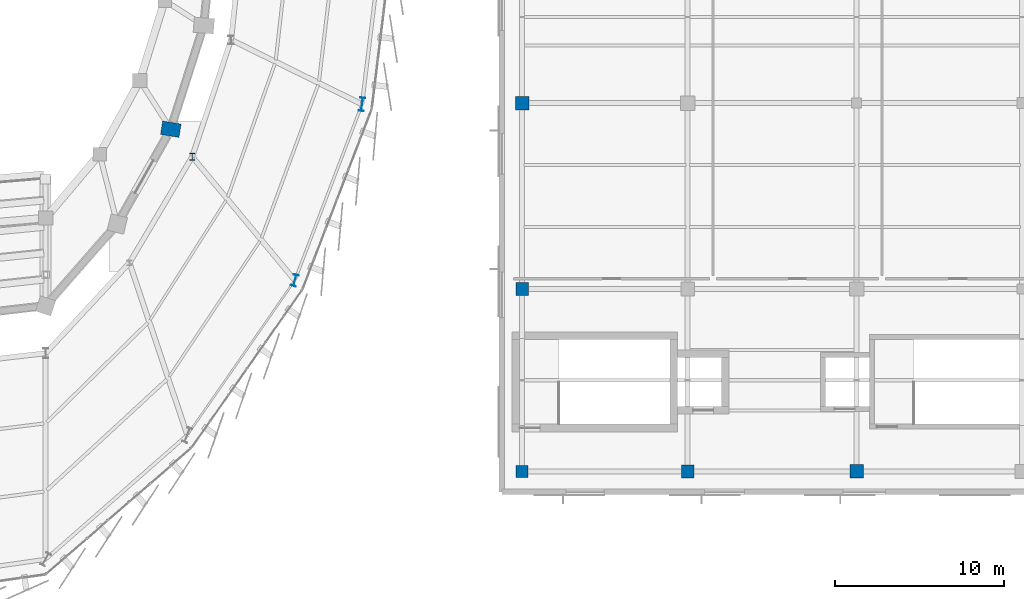
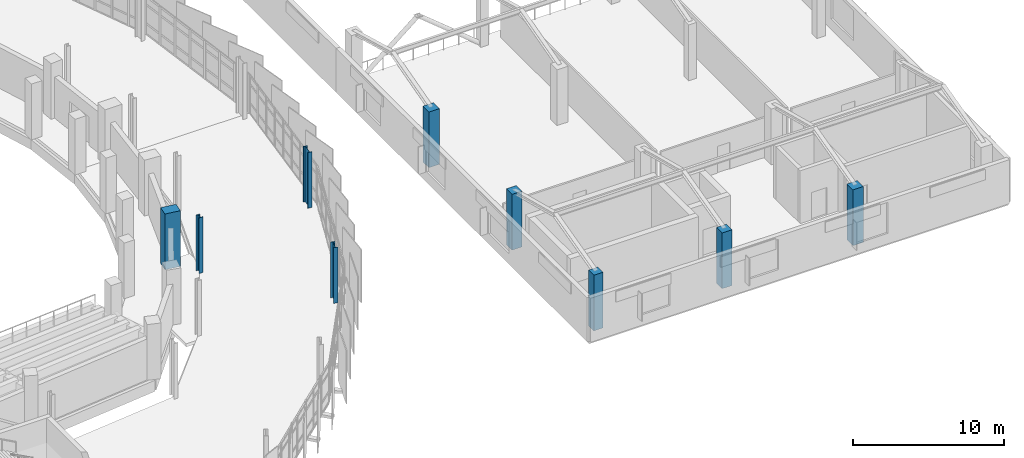
# One storey, part 19 of 120: 9 columns.
"""IFC4 building model written with IfcOpenShell, lengths in metres."""

from ifc_helpers import new_model, si_unit, direction, frame, origin, origin_2d, place, context, subcontext, project, spatial, rectangle, i_section, extrude, material, material_profile, profile_set, type_object, element, save


model = new_model("IFC4")

# Units and contexts
model_context = context("Model", 3, precision=1e-05, world=origin(), true_north=direction((0.0, 1.0)))
body_context = subcontext(model_context, "Body", "Model", "MODEL_VIEW")
ifc_project = project(units=[si_unit("LENGTHUNIT", "METRE"), si_unit("AREAUNIT", "SQUARE_METRE"), si_unit("VOLUMEUNIT", "CUBIC_METRE"), si_unit("PLANEANGLEUNIT", "RADIAN"), si_unit("MASSUNIT", "GRAM", prefix="KILO")], contexts=[model_context])

# Site, building, storey
site_placement = place(None, origin())
site = spatial("IfcSite", under=ifc_project, at=site_placement, CompositionType="ELEMENT")
building_placement = place(site_placement, origin())
building = spatial("IfcBuilding", under=site, at=building_placement, Name="Sohan Crest Arena", CompositionType="ELEMENT")
storey_placement = place(building_placement, frame((0.0, 0.0, 13.5)))
storey = spatial("IfcBuildingStorey", under=building, at=storey_placement, Name="L03", CompositionType="ELEMENT", Elevation=13.5)

# Columns
ifc_material_1 = material(Name="Concrete C40/50", Category="concrete")
ifc_material_profile_1 = material_profile(ifc_material_1, rectangle(XDim=0.699951171875, YDim=0.699951171875, at=origin_2d()), Name="RC 700x700")
ifc_profile_set_1 = profile_set([ifc_material_profile_1], Name="Concrete C40/50")
column_type_1 = type_object("IfcColumnType", Name="STR-COL-C03", PredefinedType="COLUMN", material=ifc_profile_set_1)
column_1_placement = place(storey_placement, frame((196.199951171875, 45.199951171875, 0.0), z_axis=(0.0, 0.0, 1.0), x_axis=(1.0, 0.0, 0.0)))
element("IfcColumn", 1, at=column_1_placement, inside=storey, type_object=column_type_1, Name="Structural column COL-V4S-11-L03", PredefinedType="COLUMN", context=body_context, shape_type="SweptSolid", body=[
    extrude(rectangle(XDim=0.699951171875, YDim=0.699951171875, at=origin_2d()), origin(), (0.0, 0.0, 1.0), 4.5),
])
ifc_material_profile_2 = material_profile(ifc_material_1, rectangle(XDim=0.75, YDim=0.75, at=origin_2d()), Name="RC 750x750")
ifc_profile_set_2 = profile_set([ifc_material_profile_2], Name="Concrete C40/50")
column_type_2 = type_object("IfcColumnType", Name="STR-COL-C04", PredefinedType="COLUMN", material=ifc_profile_set_2)
for number, where, z_axis, x_axis, name in (
    (2, (196.199951171875, 56.0, 0.0), (0.0, 0.0, 1.0), (1.0, 0.0, 0.0), "Structural column COL-V4S-12-L03"),
    (3, (206.0, 45.199951171875, 0.0), (0.0, 0.0, 1.0), (1.0, 0.0, 0.0), "Structural column COL-V4S-21-L03"),
):
    element("IfcColumn", number, at=place(storey_placement, frame(where, z_axis=z_axis, x_axis=x_axis)), inside=storey, type_object=column_type_2, Name=name, PredefinedType="COLUMN", context=body_context, shape_type="SweptSolid", body=[
        extrude(rectangle(XDim=0.75, YDim=0.75, at=origin_2d()), origin(), (0.0, 0.0, 1.0), 4.5),
    ])
ifc_material_profile_3 = material_profile(ifc_material_1, rectangle(XDim=0.800048828125, YDim=0.800048828125, at=origin_2d()), Name="RC 800x800")
ifc_profile_set_3 = profile_set([ifc_material_profile_3], Name="Concrete C40/50")
column_type_3 = type_object("IfcColumnType", Name="STR-COL-C05", PredefinedType="COLUMN", material=ifc_profile_set_3)
for number, where, z_axis, x_axis, name in (
    (4, (196.199951171875, 67.0, 0.0), (0.0, 0.0, 1.0), (1.0, 0.0, 0.0), "Structural column COL-V4S-13-L03"),
    (5, (216.0, 45.199951171875, 0.0), (0.0, 0.0, 1.0), (1.0, 0.0, 0.0), "Structural column COL-V4S-31-L03"),
):
    element("IfcColumn", number, at=place(storey_placement, frame(where, z_axis=z_axis, x_axis=x_axis)), inside=storey, type_object=column_type_3, Name=name, PredefinedType="COLUMN", context=body_context, shape_type="SweptSolid", body=[
        extrude(rectangle(XDim=0.800048828125, YDim=0.800048828125, at=origin_2d()), origin(), (0.0, 0.0, 1.0), 4.5),
    ])
ifc_material_profile_4 = material_profile(ifc_material_1, rectangle(XDim=1.10009765625, YDim=0.800048828125, at=origin_2d()), Name="RC 1100x800")
ifc_profile_set_4 = profile_set([ifc_material_profile_4], Name="Concrete C40/50")
column_type_4 = type_object("IfcColumnType", Name="STR-COL-C10", PredefinedType="COLUMN", material=ifc_profile_set_4)
column_2_placement = place(storey_placement, frame((175.408935546875, 65.455078125, 0.0), z_axis=(0.0, 0.0, 1.0), x_axis=(-0.987136265073, 0.159881187692, 0.0)))
element("IfcColumn", 6, at=column_2_placement, inside=storey, type_object=column_type_4, Name="Structural column COL-V1R-22-L03", PredefinedType="COLUMN", context=body_context, shape_type="SweptSolid", body=[
    extrude(rectangle(XDim=1.10009765625, YDim=0.800048828125, at=origin_2d()), origin(), (0.0, 0.0, 1.0), 4.5),
])
ifc_material_2 = material(Name="Steel S355", Category="steel")
ifc_material_profile_5 = material_profile(ifc_material_2, i_section(OverallWidth=0.300048828125, OverallDepth=0.39990234375, WebThickness=0.013427734375, FlangeThickness=0.02392578125, at=origin_2d()), Name="HEB 400")
ifc_profile_set_5 = profile_set([ifc_material_profile_5], Name="Steel S355")
column_type_5 = type_object("IfcColumnType", Name="STR-COL-C18", PredefinedType="COLUMN", material=ifc_profile_set_5)
column_3_placement = place(storey_placement, frame((176.674072265625, 63.824951171875, 0.0), z_axis=(0.0, 0.0, 1.0), x_axis=(1.0, 0.0, 0.0)))
element("IfcColumn", 7, at=column_3_placement, inside=storey, type_object=column_type_5, Name="Structural column COL-V2I-22-L03", PredefinedType="COLUMN", context=body_context, shape_type="SweptSolid", body=[
    extrude(i_section(OverallWidth=0.300048828125, OverallDepth=0.39990234375, WebThickness=0.013427734375, FlangeThickness=0.02392578125, at=origin_2d()), origin(), (0.0, 0.0, 1.0), 4.5),
])
ifc_material_profile_6 = material_profile(ifc_material_2, i_section(OverallWidth=0.300048828125, OverallDepth=0.699951171875, WebThickness=0.01708984375, FlangeThickness=0.031982421875, at=origin_2d()), Name="HEB 700")
ifc_profile_set_6 = profile_set([ifc_material_profile_6], Name="Steel S355")
column_type_6 = type_object("IfcColumnType", Name="STR-COL-C21", PredefinedType="COLUMN", material=ifc_profile_set_6)
column_4_placement = place(storey_placement, frame((182.7490234375, 56.510986328125, 0.0), z_axis=(0.0, 0.0, 1.0), x_axis=(-0.969445349895, 0.245307385879, 0.0)))
element("IfcColumn", 8, at=column_4_placement, inside=storey, type_object=column_type_6, Name="Structural column COL-V2O-22-L03", PredefinedType="COLUMN", context=body_context, shape_type="SweptSolid", body=[
    extrude(i_section(OverallWidth=0.300048828125, OverallDepth=0.699951171875, WebThickness=0.01708984375, FlangeThickness=0.031982421875, at=origin_2d()), origin(), (0.0, 0.0, 1.0), 4.5),
])
ifc_material_profile_7 = material_profile(ifc_material_2, i_section(OverallWidth=0.300048828125, OverallDepth=0.800048828125, WebThickness=0.017578125, FlangeThickness=0.032958984375, at=origin_2d()), Name="HEB 800")
ifc_profile_set_7 = profile_set([ifc_material_profile_7], Name="Steel S355")
column_type_7 = type_object("IfcColumnType", Name="STR-COL-C22", PredefinedType="COLUMN", material=ifc_profile_set_7)
column_5_placement = place(storey_placement, frame((186.72509765625, 66.929931640625, 0.0), z_axis=(0.0, 0.0, 1.0), x_axis=(-0.992331937885, 0.12360147674, 0.0)))
element("IfcColumn", 9, at=column_5_placement, inside=storey, type_object=column_type_7, Name="Structural column COL-V2O-23-L03", PredefinedType="COLUMN", context=body_context, shape_type="SweptSolid", body=[
    extrude(i_section(OverallWidth=0.300048828125, OverallDepth=0.800048828125, WebThickness=0.017578125, FlangeThickness=0.032958984375, at=origin_2d()), origin(), (0.0, 0.0, 1.0), 4.5),
])

save(model, "model.ifc")
